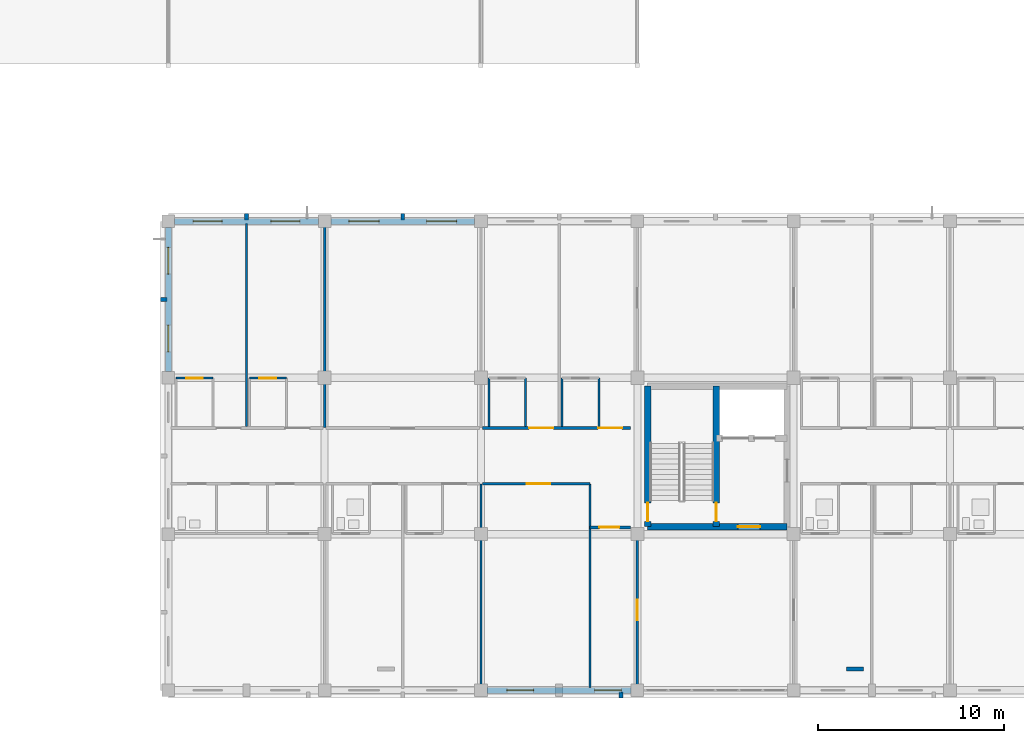
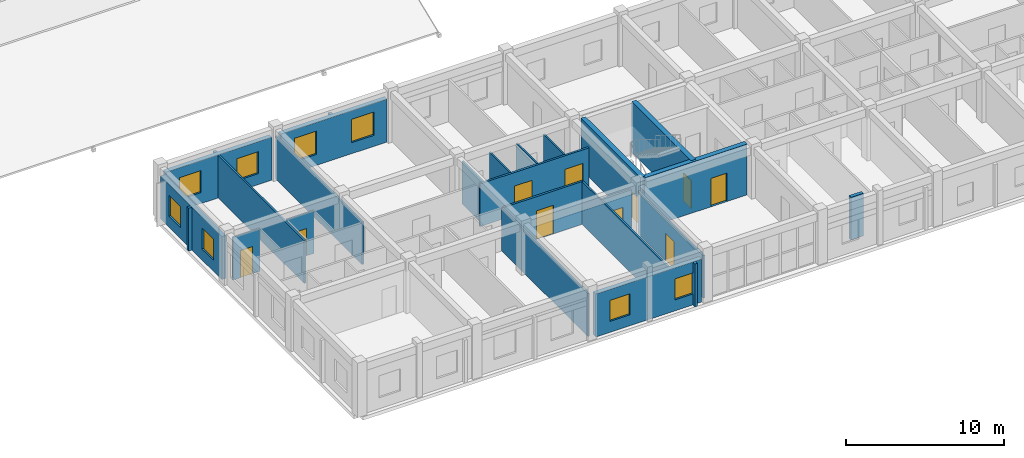
# One storey, part 107 of 140: 26 walls, 10 doors, 8 windows, 18 openings.
"""IFC4 building model written with IfcOpenShell, lengths in metres."""

from ifc_helpers import new_model, si_unit, direction, frame, frame_2d, origin, place, context, subcontext, project, spatial, rectangle, extrude, material, layer, layer_set, type_object, element, fill, save


model = new_model("IFC4")

# Units and contexts
model_context = context("Model", 3, precision=1e-05, world=origin(), true_north=direction((0.0, 1.0)))
body_context = subcontext(model_context, "Body", "Model", "MODEL_VIEW")
ifc_project = project(units=[si_unit("LENGTHUNIT", "METRE"), si_unit("AREAUNIT", "SQUARE_METRE"), si_unit("VOLUMEUNIT", "CUBIC_METRE"), si_unit("PLANEANGLEUNIT", "RADIAN"), si_unit("MASSUNIT", "GRAM", prefix="KILO")], contexts=[model_context])

# Site, building, storey
site_placement = place(None, origin())
site = spatial("IfcSite", under=ifc_project, at=site_placement, CompositionType="ELEMENT")
building_placement = place(site_placement, origin())
building = spatial("IfcBuilding", under=site, at=building_placement, Name="Trelvath General Hospital", CompositionType="ELEMENT")
storey_placement = place(building_placement, frame((0.0, 0.0, 16.199951171875)))
storey = spatial("IfcBuildingStorey", under=building, at=storey_placement, Name="L04", CompositionType="ELEMENT", Elevation=16.199951171875)

# Walls
ifc_material_1 = material(Name="Precast concrete C40/50", Category="concrete")
ifc_layer_1 = layer(ifc_material_1, 0.199951171875)
ifc_layer_set_1 = layer_set([ifc_layer_1], Name="Precast concrete C40/50")
wall_type_1 = type_object("IfcWallType", Name="BriseSoleilRib 200", PredefinedType="ELEMENTEDWALL", material=ifc_layer_set_1)
for number, where, z_axis, x_axis, name in (
    (1, (21.0, 25.27490234375, 0.0), (0.0, 0.0, 1.0), (0.0, 1.0, 0.0), "Precast Concrete Brise-Soleil Rib Fin L04-305"),
    (2, (16.72509765625, 21.0, 0.0), (0.0, 0.0, 1.0), (-1.0, 0.0, 0.0), "Precast Concrete Brise-Soleil Rib Fin L04-306"),
    (3, (29.39990234375, 25.27490234375, 0.0), (0.0, 0.0, 1.0), (0.0, 1.0, 0.0), "Precast Concrete Brise-Soleil Rib Fin L04-313"),
    (4, (41.123779296875, -0.074951171875, 0.0), (0.0, 0.0, 1.0), (0.0, -1.0, 0.0), "Precast Concrete Brise-Soleil Rib Fin L04-316"),
):
    element("IfcWall", number, at=place(storey_placement, frame(where, z_axis=z_axis, x_axis=x_axis)), inside=storey, type_object=wall_type_1, Name=name, PredefinedType="ELEMENTEDWALL", context=body_context, shape_type="SweptSolid", body=[
        extrude(rectangle(XDim=0.340087890625, YDim=0.199951171875, at=frame_2d((0.169921875, 0.0))), origin(), (0.0, 0.0, 1.0), 3.300048828125),
    ])

# Wall, opening, door
ifc_material_2 = material(Name="Gypsum acoustic steel-stud partition", Category="steel")
ifc_layer_2 = layer(ifc_material_2, 0.14990234375)
ifc_layer_set_2 = layer_set([ifc_layer_2], Name="Gypsum acoustic steel-stud partition")
wall_type_2 = type_object("IfcWallType", Name="ClinicalPartition 150", PredefinedType="PARTITIONING", material=ifc_layer_set_2)
wall_1_placement = place(storey_placement, frame((33.679931640625, 11.10009765625, 0.0), z_axis=(0.0, 0.0, 1.0), x_axis=(1.0, 0.0, 0.0)))
wall_1 = element("IfcWall", 5, at=wall_1_placement, inside=storey, type_object=wall_type_2, Name="Nurse Station Partition L04-1432", PredefinedType="PARTITIONING", context=body_context, shape_type="SweptSolid", body=[
    extrude(rectangle(XDim=5.780029296875, YDim=0.14990234375, at=frame_2d((2.89013671875, 0.0))), origin(), (0.0, 0.0, 1.0), 3.300048828125),
])
opening_1_placement = place(wall_1_placement, frame((2.3798828125, 0.0, 0.0)))
opening_1 = element("IfcOpeningElement", 6, at=opening_1_placement, cuts=wall_1, Name="Opening D-4-1004", PredefinedType="OPENING", context=body_context, shape_type="SweptSolid", body=[
    extrude(rectangle(XDim=1.25, YDim=2.199951171875, at=frame_2d((0.625, 1.10009765625))), frame((0.0, 0.0849609375, 0.0), z_axis=(0.0, -1.0, 0.0), x_axis=(1.0, 0.0, 0.0)), (0.0, 0.0, 1.0), 0.169921875),
])
ifc_material_3 = material(Name="Acoustic hospital timber leaf", Category="wood")
door_type_1 = type_object("IfcDoorType", Name="Door Treatment 1250x2200", OperationType="NOTDEFINED", PredefinedType="DOOR", material=ifc_material_3)
door_1_placement = place(opening_1_placement, origin())
door_1 = element("IfcDoor", 7, at=door_1_placement, inside=storey, type_object=door_type_1, Name="Nurse Station Door L04-1004", OperationType="SINGLE_SWING_LEFT", OverallHeight=2.199951171875, OverallWidth=1.25, PredefinedType="DOOR", context=body_context, shape_type="SweptSolid", body=[
    extrude(rectangle(XDim=1.25, YDim=2.199951171875, at=frame_2d((0.625, 1.10009765625))), frame((0.0, 0.02490234375, 0.0), z_axis=(0.0, -1.0, 0.0), x_axis=(1.0, 0.0, 0.0)), (0.0, 0.0, 1.0), 0.050048828125),
])
fill(opening_1, door_1)

wall_2_placement = place(storey_placement, frame((39.4599609375, 8.760009765625, 0.0), z_axis=(0.0, 0.0, 1.0), x_axis=(1.0, 0.0, 0.0)))
wall_2 = element("IfcWall", 8, at=wall_2_placement, inside=storey, type_object=wall_type_2, Name="Clean Utility Partition L04-1434", PredefinedType="PARTITIONING", context=body_context, shape_type="SweptSolid", body=[
    extrude(rectangle(XDim=2.179931640625, YDim=0.14990234375, at=frame_2d((1.08984375, 0.0))), origin(), (0.0, 0.0, 1.0), 3.300048828125),
])
opening_2_placement = place(wall_2_placement, frame((0.5, 0.0, 0.0)))
opening_2 = element("IfcOpeningElement", 9, at=opening_2_placement, cuts=wall_2, Name="Opening D-4-1005", PredefinedType="OPENING", context=body_context, shape_type="SweptSolid", body=[
    extrude(rectangle(XDim=1.080078125, YDim=2.14990234375, at=frame_2d((0.5400390625, 1.074951171875))), frame((0.0, 0.0849609375, 0.0), z_axis=(0.0, -1.0, 0.0), x_axis=(1.0, 0.0, 0.0)), (0.0, 0.0, 1.0), 0.169921875),
])
ifc_material_4 = material(Name="Acoustic hospital timber leaf", Category="wood")
door_type_2 = type_object("IfcDoorType", Name="Door CleanSupply 1080x2150", OperationType="NOTDEFINED", PredefinedType="DOOR", material=ifc_material_4)
door_2_placement = place(opening_2_placement, origin())
door_2 = element("IfcDoor", 10, at=door_2_placement, inside=storey, type_object=door_type_2, Name="Clean Utility Door L04-1005", OperationType="SINGLE_SWING_RIGHT", OverallHeight=2.14990234375, OverallWidth=1.080078125, PredefinedType="DOOR", context=body_context, shape_type="SweptSolid", body=[
    extrude(rectangle(XDim=1.080078125, YDim=2.14990234375, at=frame_2d((0.5400390625, 1.074951171875))), frame((0.0, 0.02490234375, 0.0), z_axis=(0.0, -1.0, 0.0), x_axis=(1.0, 0.0, 0.0)), (0.0, 0.0, 1.0), 0.050048828125),
])
fill(opening_2, door_2)

# Wall, openings, doors
wall_3_placement = place(storey_placement, frame((41.639892578125, 14.10009765625, 0.0), z_axis=(0.0, 0.0, 1.0), x_axis=(-1.0, 0.0, 0.0)))
wall_3 = element("IfcWall", 11, at=wall_3_placement, inside=storey, type_object=wall_type_2, Name="Corridor Partition N L04-1435", PredefinedType="PARTITIONING", context=body_context, shape_type="SweptSolid", body=[
    extrude(rectangle(XDim=7.9599609375, YDim=0.14990234375, at=frame_2d((3.97998046875, 0.0))), origin(), (0.0, 0.0, 1.0), 3.300048828125),
])
opening_3_placement = place(wall_3_placement, frame((0.449951171875, 0.0, 0.0)))
opening_3 = element("IfcOpeningElement", 12, at=opening_3_placement, cuts=wall_3, Name="Opening D-4-1006", PredefinedType="OPENING", context=body_context, shape_type="SweptSolid", body=[
    extrude(rectangle(XDim=1.300048828125, YDim=2.25, at=frame_2d((0.64990234375, 1.125))), frame((0.0, 0.0849609375, 0.0), z_axis=(0.0, -1.0, 0.0), x_axis=(1.0, 0.0, 0.0)), (0.0, 0.0, 1.0), 0.169921875),
])
opening_4_placement = place(wall_3_placement, frame((4.14990234375, 0.0, 0.0)))
opening_4 = element("IfcOpeningElement", 13, at=opening_4_placement, cuts=wall_3, Name="Opening D-4-1007", PredefinedType="OPENING", context=body_context, shape_type="SweptSolid", body=[
    extrude(rectangle(XDim=1.300048828125, YDim=2.25, at=frame_2d((0.64990234375, 1.125))), frame((0.0, 0.0849609375, 0.0), z_axis=(0.0, -1.0, 0.0), x_axis=(1.0, 0.0, 0.0)), (0.0, 0.0, 1.0), 0.169921875),
])
ifc_material_5 = material(Name="Hospital bed-leaf timber door", Category="wood")
door_type_3 = type_object("IfcDoorType", Name="Door PatientBed 1300x2250", OperationType="NOTDEFINED", PredefinedType="DOOR", material=ifc_material_5)
door_3_placement = place(opening_3_placement, origin())
door_3 = element("IfcDoor", 14, at=door_3_placement, inside=storey, type_object=door_type_3, Name="Patient Room Door N L04-1006", OperationType="SINGLE_SWING_LEFT", OverallHeight=2.25, OverallWidth=1.300048828125, PredefinedType="DOOR", context=body_context, shape_type="SweptSolid", body=[
    extrude(rectangle(XDim=1.300048828125, YDim=2.25, at=frame_2d((0.64990234375, 1.125))), frame((0.0, 0.02490234375, 0.0), z_axis=(0.0, -1.0, 0.0), x_axis=(1.0, 0.0, 0.0)), (0.0, 0.0, 1.0), 0.050048828125),
])
fill(opening_3, door_3)
door_4_placement = place(opening_4_placement, origin())
door_4 = element("IfcDoor", 15, at=door_4_placement, inside=storey, type_object=door_type_3, Name="Patient Room Door N L04-1007", OperationType="SINGLE_SWING_LEFT", OverallHeight=2.25, OverallWidth=1.300048828125, PredefinedType="DOOR", context=body_context, shape_type="SweptSolid", body=[
    extrude(rectangle(XDim=1.300048828125, YDim=2.25, at=frame_2d((0.64990234375, 1.125))), frame((0.0, 0.02490234375, 0.0), z_axis=(0.0, -1.0, 0.0), x_axis=(1.0, 0.0, 0.0)), (0.0, 0.0, 1.0), 0.050048828125),
])
fill(opening_4, door_4)

# Wall, opening, door
ifc_material_6 = material(Name="Concrete C40/50", Category="concrete")
ifc_layer_3 = layer(ifc_material_6, 0.35009765625)
ifc_layer_set_3 = layer_set([ifc_layer_3], Name="Concrete C40/50")
wall_type_3 = type_object("IfcWallType", Name="CoreShearWall 350", PredefinedType="SHEAR", material=ifc_layer_set_3)
wall_4_placement = place(storey_placement, frame((42.550048828125, 8.800048828125, 0.0), z_axis=(0.0, 0.0, 1.0), x_axis=(1.0, 0.0, 0.0)))
wall_4 = element("IfcWall", 16, at=wall_4_placement, inside=storey, type_object=wall_type_3, Name="Core Shear Wall C4 S L04", PredefinedType="SHEAR", context=body_context, shape_type="SweptSolid", body=[
    extrude(rectangle(XDim=7.5, YDim=0.35009765625, at=frame_2d((3.75, 0.0))), origin(), (0.0, 0.0, 1.0), 3.920166015625),
])
opening_5_placement = place(wall_4_placement, frame((4.85009765625, 0.0, 0.0)))
opening_5 = element("IfcOpeningElement", 17, at=opening_5_placement, cuts=wall_4, Name="Opening FD-LS44", PredefinedType="OPENING", context=body_context, shape_type="SweptSolid", body=[
    extrude(rectangle(XDim=1.199951171875, YDim=2.199951171875, at=frame_2d((0.60009765625, 1.10009765625))), frame((0.0, 0.18505859375, 0.0), z_axis=(0.0, -1.0, 0.0), x_axis=(1.0, 0.0, 0.0)), (0.0, 0.0, 1.0), 0.3701171875),
])
ifc_material_7 = material(Name="Fire-rated steel door", Category="steel")
door_type_4 = type_object("IfcDoorType", Name="Door FireLobby 1200x2200", OperationType="NOTDEFINED", PredefinedType="DOOR", material=ifc_material_7)
door_5_placement = place(opening_5_placement, origin())
door_5 = element("IfcDoor", 18, at=door_5_placement, inside=storey, type_object=door_type_4, Name="Fire Lobby South Door C4 L04", OperationType="SINGLE_SWING_LEFT", OverallHeight=2.199951171875, OverallWidth=1.199951171875, PredefinedType="DOOR", context=body_context, shape_type="SweptSolid", body=[
    extrude(rectangle(XDim=1.199951171875, YDim=2.199951171875, at=frame_2d((0.60009765625, 1.10009765625))), frame((0.0, 0.02490234375, 0.0), z_axis=(0.0, -1.0, 0.0), x_axis=(1.0, 0.0, 0.0)), (0.0, 0.0, 1.0), 0.050048828125),
])
fill(opening_5, door_5)

wall_5_placement = place(storey_placement, frame((42.550048828125, 8.800048828125, 0.0), z_axis=(0.0, 0.0, 1.0), x_axis=(0.0, 1.0, 0.0)))
wall_5 = element("IfcWall", 19, at=wall_5_placement, inside=storey, type_object=wall_type_3, Name="Core Shear Wall C4 W L04", PredefinedType="SHEAR", context=body_context, shape_type="SweptSolid", body=[
    extrude(rectangle(XDim=7.550048828125, YDim=0.35009765625, at=frame_2d((3.77490234375, 0.0))), origin(), (0.0, 0.0, 1.0), 3.920166015625),
])
opening_6_placement = place(wall_5_placement, frame((0.280029296875, 0.0, 0.0)))
opening_6 = element("IfcOpeningElement", 20, at=opening_6_placement, cuts=wall_5, Name="Opening FD-SW44", PredefinedType="OPENING", context=body_context, shape_type="SweptSolid", body=[
    extrude(rectangle(XDim=1.0, YDim=2.14990234375, at=frame_2d((0.5, 1.074951171875))), frame((0.0, 0.18505859375, 0.0), z_axis=(0.0, -1.0, 0.0), x_axis=(1.0, 0.0, 0.0)), (0.0, 0.0, 1.0), 0.3701171875),
])
ifc_material_8 = material(Name="Fire-rated steel door", Category="steel")
door_type_5 = type_object("IfcDoorType", Name="Door FireStair 1100x2150", OperationType="NOTDEFINED", PredefinedType="DOOR", material=ifc_material_8)
door_6_placement = place(opening_6_placement, origin())
door_6 = element("IfcDoor", 21, at=door_6_placement, inside=storey, type_object=door_type_5, Name="West Corridor Stair Door ST4 L04", OperationType="SINGLE_SWING_RIGHT", OverallHeight=2.14990234375, OverallWidth=1.0, PredefinedType="DOOR", context=body_context, shape_type="SweptSolid", body=[
    extrude(rectangle(XDim=1.0, YDim=2.14990234375, at=frame_2d((0.5, 1.074951171875))), frame((0.0, 0.02490234375, 0.0), z_axis=(0.0, -1.0, 0.0), x_axis=(1.0, 0.0, 0.0)), (0.0, 0.0, 1.0), 0.050048828125),
])
fill(opening_6, door_6)

wall_6_placement = place(storey_placement, frame((46.25, 8.800048828125, 0.0), z_axis=(0.0, 0.0, 1.0), x_axis=(0.0, 1.0, 0.0)))
wall_6 = element("IfcWall", 22, at=wall_6_placement, inside=storey, type_object=wall_type_3, Name="Core Shear Wall C4 SPINE L04", PredefinedType="SHEAR", context=body_context, shape_type="SweptSolid", body=[
    extrude(rectangle(XDim=7.550048828125, YDim=0.35009765625, at=frame_2d((3.77490234375, 0.0))), origin(), (0.0, 0.0, 1.0), 3.920166015625),
])
opening_7_placement = place(wall_6_placement, frame((0.280029296875, 0.0, 0.0)))
opening_7 = element("IfcOpeningElement", 23, at=opening_7_placement, cuts=wall_6, Name="Opening FD-S44", PredefinedType="OPENING", context=body_context, shape_type="SweptSolid", body=[
    extrude(rectangle(XDim=1.0, YDim=2.14990234375, at=frame_2d((0.5, 1.074951171875))), frame((0.0, 0.18505859375, 0.0), z_axis=(0.0, -1.0, 0.0), x_axis=(1.0, 0.0, 0.0)), (0.0, 0.0, 1.0), 0.3701171875),
])
door_7_placement = place(opening_7_placement, origin())
door_7 = element("IfcDoor", 24, at=door_7_placement, inside=storey, type_object=door_type_5, Name="Exit Stair Door ST4 L04", OperationType="SINGLE_SWING_LEFT", OverallHeight=2.14990234375, OverallWidth=1.0, PredefinedType="DOOR", context=body_context, shape_type="SweptSolid", body=[
    extrude(rectangle(XDim=1.0, YDim=2.14990234375, at=frame_2d((0.5, 1.074951171875))), frame((0.0, 0.02490234375, 0.0), z_axis=(0.0, -1.0, 0.0), x_axis=(1.0, 0.0, 0.0)), (0.0, 0.0, 1.0), 0.050048828125),
])
fill(opening_7, door_7)

ifc_material_9 = material(Name="Moisture-resistant tile partition")
ifc_layer_4 = layer(ifc_material_9, 0.110107421875)
ifc_layer_set_4 = layer_set([ifc_layer_4], Name="Moisture-resistant tile partition")
wall_type_4 = type_object("IfcWallType", Name="EnSuiteWetWall 110", PredefinedType="PARTITIONING", material=ifc_layer_set_4)
wall_7_placement = place(storey_placement, frame((17.219970703125, 16.780029296875, 0.0), z_axis=(0.0, 0.0, 1.0), x_axis=(1.0, 0.0, 0.0)))
wall_7 = element("IfcWall", 25, at=wall_7_placement, inside=storey, type_object=wall_type_4, Name="En-Suite Bathroom N Partition L04-1414", PredefinedType="PARTITIONING", context=body_context, shape_type="SweptSolid", body=[
    extrude(rectangle(XDim=1.97998046875, YDim=0.110107421875, at=frame_2d((0.989990234375, 0.0))), origin(), (0.0, 0.0, 1.0), 3.300048828125),
])
opening_8_placement = place(wall_7_placement, frame((0.5400390625, 0.0, 0.0)))
opening_8 = element("IfcOpeningElement", 26, at=opening_8_placement, cuts=wall_7, Name="Opening D-4-0997", PredefinedType="OPENING", context=body_context, shape_type="SweptSolid", body=[
    extrude(rectangle(XDim=0.89990234375, YDim=2.10009765625, at=frame_2d((0.449951171875, 1.050048828125))), frame((0.0, 0.06494140625, 0.0), z_axis=(0.0, -1.0, 0.0), x_axis=(1.0, 0.0, 0.0)), (0.0, 0.0, 1.0), 0.130126953125),
])
ifc_material_10 = material(Name="Moisture-sealed timber leaf", Category="wood")
door_type_6 = type_object("IfcDoorType", Name="Door EnSuite 900x2100", OperationType="NOTDEFINED", PredefinedType="DOOR", material=ifc_material_10)
door_8_placement = place(opening_8_placement, origin())
door_8 = element("IfcDoor", 27, at=door_8_placement, inside=storey, type_object=door_type_6, Name="En-Suite Bathroom N Door L04-997", OperationType="SINGLE_SWING_RIGHT", OverallHeight=2.10009765625, OverallWidth=0.89990234375, PredefinedType="DOOR", context=body_context, shape_type="SweptSolid", body=[
    extrude(rectangle(XDim=0.89990234375, YDim=2.10009765625, at=frame_2d((0.449951171875, 1.050048828125))), frame((0.0, 0.02490234375, 0.0), z_axis=(0.0, -1.0, 0.0), x_axis=(1.0, 0.0, 0.0)), (0.0, 0.0, 1.0), 0.050048828125),
])
fill(opening_8, door_8)

wall_8_placement = place(storey_placement, frame((21.159912109375, 16.780029296875, 0.0), z_axis=(0.0, 0.0, 1.0), x_axis=(1.0, 0.0, 0.0)))
wall_8 = element("IfcWall", 28, at=wall_8_placement, inside=storey, type_object=wall_type_4, Name="En-Suite Bathroom N Partition L04-1417", PredefinedType="PARTITIONING", context=body_context, shape_type="SweptSolid", body=[
    extrude(rectangle(XDim=1.97998046875, YDim=0.110107421875, at=frame_2d((0.989990234375, 0.0))), origin(), (0.0, 0.0, 1.0), 3.300048828125),
])
opening_9_placement = place(wall_8_placement, frame((0.5400390625, 0.0, 0.0)))
opening_9 = element("IfcOpeningElement", 29, at=opening_9_placement, cuts=wall_8, Name="Opening D-4-0998", PredefinedType="OPENING", context=body_context, shape_type="SweptSolid", body=[
    extrude(rectangle(XDim=0.89990234375, YDim=2.10009765625, at=frame_2d((0.449951171875, 1.050048828125))), frame((0.0, 0.06494140625, 0.0), z_axis=(0.0, -1.0, 0.0), x_axis=(1.0, 0.0, 0.0)), (0.0, 0.0, 1.0), 0.130126953125),
])
door_9_placement = place(opening_9_placement, origin())
door_9 = element("IfcDoor", 30, at=door_9_placement, inside=storey, type_object=door_type_6, Name="En-Suite Bathroom N Door L04-998", OperationType="SINGLE_SWING_LEFT", OverallHeight=2.10009765625, OverallWidth=0.89990234375, PredefinedType="DOOR", context=body_context, shape_type="SweptSolid", body=[
    extrude(rectangle(XDim=0.89990234375, YDim=2.10009765625, at=frame_2d((0.449951171875, 1.050048828125))), frame((0.0, 0.02490234375, 0.0), z_axis=(0.0, -1.0, 0.0), x_axis=(1.0, 0.0, 0.0)), (0.0, 0.0, 1.0), 0.050048828125),
])
fill(opening_9, door_9)

# Walls
for number, where, z_axis, x_axis, name in (
    (31, (34.02001953125, 14.169921875, 0.0), (0.0, 0.0, 1.0), (0.0, 1.0, 0.0), "En-Suite W Wall N L04-1437"),
    (32, (36.0, 14.169921875, 0.0), (0.0, 0.0, 1.0), (0.0, 1.0, 0.0), "En-Suite E Wall N L04-1438"),
    (33, (37.9599609375, 14.169921875, 0.0), (0.0, 0.0, 1.0), (0.0, 1.0, 0.0), "En-Suite W Wall N L04-1440"),
    (34, (39.93994140625, 14.169921875, 0.0), (0.0, 0.0, 1.0), (0.0, 1.0, 0.0), "En-Suite E Wall N L04-1441"),
):
    element("IfcWall", number, at=place(storey_placement, frame(where, z_axis=z_axis, x_axis=x_axis)), inside=storey, type_object=wall_type_4, Name=name, PredefinedType="PARTITIONING", context=body_context, shape_type="SweptSolid", body=[
        extrude(rectangle(XDim=2.610107421875, YDim=0.110107421875, at=frame_2d((1.30517578125, 0.0))), origin(), (0.0, 0.0, 1.0), 3.300048828125),
    ])

# Wall, openings, windows
ifc_material_11 = material(Name="Concrete C35/45", Category="concrete")
ifc_layer_5 = layer(ifc_material_11, 0.320068359375)
ifc_layer_set_5 = layer_set([ifc_layer_5], Name="Concrete C35/45")
wall_type_5 = type_object("IfcWallType", Name="ExtThermalWall 320", PredefinedType="SOLIDWALL", material=ifc_layer_set_5)
wall_9_placement = place(storey_placement, frame((17.135009765625, 25.199951171875, 0.0), z_axis=(0.0, 0.0, 1.0), x_axis=(1.0, 0.0, 0.0)))
wall_9 = element("IfcWall", 35, at=wall_9_placement, inside=storey, type_object=wall_type_5, Name="Exterior Concrete Wall L04-423", PredefinedType="SOLIDWALL", context=body_context, shape_type="SweptSolid", body=[
    extrude(rectangle(XDim=7.72998046875, YDim=0.320068359375, at=frame_2d((3.864990234375, 0.0))), origin(), (0.0, 0.0, 1.0), 3.320068359375),
])
opening_10_placement = place(wall_9_placement, frame((0.997802734375, 0.0, 0.85009765625)))
opening_10 = element("IfcOpeningElement", 36, at=opening_10_placement, cuts=wall_9, Name="Opening WN-4-695", PredefinedType="OPENING", context=body_context, shape_type="SweptSolid", body=[
    extrude(rectangle(XDim=1.56005859375, YDim=1.699951171875, at=frame_2d((0.780029296875, 0.85009765625))), frame((0.0, 0.169921875, 0.0), z_axis=(0.0, -1.0, 0.0), x_axis=(1.0, 0.0, 0.0)), (0.0, 0.0, 1.0), 0.340087890625),
])
opening_11_placement = place(wall_9_placement, frame((5.172119140625, 0.0, 0.85009765625)))
opening_11 = element("IfcOpeningElement", 37, at=opening_11_placement, cuts=wall_9, Name="Opening WN-4-696", PredefinedType="OPENING", context=body_context, shape_type="SweptSolid", body=[
    extrude(rectangle(XDim=1.56005859375, YDim=1.699951171875, at=frame_2d((0.780029296875, 0.85009765625))), frame((0.0, 0.169921875, 0.0), z_axis=(0.0, -1.0, 0.0), x_axis=(1.0, 0.0, 0.0)), (0.0, 0.0, 1.0), 0.340087890625),
])
ifc_material_12 = material(Name="Low-E laminated glass", Category="glass")
window_type_1 = type_object("IfcWindowType", Name="Window Dialysis 1560x1700", PartitioningType="DOUBLE_PANEL_VERTICAL", PredefinedType="WINDOW", material=ifc_material_12)
window_1_placement = place(opening_10_placement, origin())
window_1 = element("IfcWindow", 38, at=window_1_placement, inside=storey, type_object=window_type_1, Name="Solar Reveal Window L04-695", OverallHeight=1.699951171875, OverallWidth=1.56005859375, PartitioningType="SINGLE_PANEL", PredefinedType="WINDOW", context=body_context, shape_type="SweptSolid", body=[
    extrude(rectangle(XDim=1.56005859375, YDim=1.699951171875, at=frame_2d((0.780029296875, 0.85009765625))), frame((0.0, 0.030029296875, 0.0), z_axis=(0.0, -1.0, 0.0), x_axis=(1.0, 0.0, 0.0)), (0.0, 0.0, 1.0), 0.06005859375),
])
fill(opening_10, window_1)
window_2_placement = place(opening_11_placement, origin())
window_2 = element("IfcWindow", 39, at=window_2_placement, inside=storey, type_object=window_type_1, Name="Solar Reveal Window L04-696", OverallHeight=1.699951171875, OverallWidth=1.56005859375, PartitioningType="SINGLE_PANEL", PredefinedType="WINDOW", context=body_context, shape_type="SweptSolid", body=[
    extrude(rectangle(XDim=1.56005859375, YDim=1.699951171875, at=frame_2d((0.780029296875, 0.85009765625))), frame((0.0, 0.030029296875, 0.0), z_axis=(0.0, -1.0, 0.0), x_axis=(1.0, 0.0, 0.0)), (0.0, 0.0, 1.0), 0.06005859375),
])
fill(opening_11, window_2)

wall_10_placement = place(storey_placement, frame((16.800048828125, 17.135009765625, 0.0), z_axis=(0.0, 0.0, 1.0), x_axis=(0.0, 1.0, 0.0)))
wall_10 = element("IfcWall", 40, at=wall_10_placement, inside=storey, type_object=wall_type_5, Name="Exterior Concrete Wall L04-424", PredefinedType="SOLIDWALL", context=body_context, shape_type="SweptSolid", body=[
    extrude(rectangle(XDim=7.72998046875, YDim=0.320068359375, at=frame_2d((3.864990234375, 0.0))), origin(), (0.0, 0.0, 1.0), 3.320068359375),
])
opening_12_placement = place(wall_10_placement, frame((1.057861328125, 0.0, 0.85009765625)))
opening_12 = element("IfcOpeningElement", 41, at=opening_12_placement, cuts=wall_10, Name="Opening WN-4-697", PredefinedType="OPENING", context=body_context, shape_type="SweptSolid", body=[
    extrude(rectangle(XDim=1.43994140625, YDim=1.6201171875, at=frame_2d((0.719970703125, 0.81005859375))), frame((0.0, 0.169921875, 0.0), z_axis=(0.0, -1.0, 0.0), x_axis=(1.0, 0.0, 0.0)), (0.0, 0.0, 1.0), 0.340087890625),
])
opening_13_placement = place(wall_10_placement, frame((5.232177734375, 0.0, 0.85009765625)))
opening_13 = element("IfcOpeningElement", 42, at=opening_13_placement, cuts=wall_10, Name="Opening WN-4-698", PredefinedType="OPENING", context=body_context, shape_type="SweptSolid", body=[
    extrude(rectangle(XDim=1.43994140625, YDim=1.6201171875, at=frame_2d((0.719970703125, 0.81005859375))), frame((0.0, 0.169921875, 0.0), z_axis=(0.0, -1.0, 0.0), x_axis=(1.0, 0.0, 0.0)), (0.0, 0.0, 1.0), 0.340087890625),
])
ifc_material_13 = material(Name="Low-E laminated glass", Category="glass")
window_type_2 = type_object("IfcWindowType", Name="Window Maternity 1440x1620", PartitioningType="DOUBLE_PANEL_VERTICAL", PredefinedType="WINDOW", material=ifc_material_13)
window_3_placement = place(opening_12_placement, origin())
window_3 = element("IfcWindow", 43, at=window_3_placement, inside=storey, type_object=window_type_2, Name="Solar Reveal Window L04-697", OverallHeight=1.6201171875, OverallWidth=1.43994140625, PartitioningType="SINGLE_PANEL", PredefinedType="WINDOW", context=body_context, shape_type="SweptSolid", body=[
    extrude(rectangle(XDim=1.43994140625, YDim=1.6201171875, at=frame_2d((0.719970703125, 0.81005859375))), frame((0.0, 0.030029296875, 0.0), z_axis=(0.0, -1.0, 0.0), x_axis=(1.0, 0.0, 0.0)), (0.0, 0.0, 1.0), 0.06005859375),
])
fill(opening_12, window_3)
window_4_placement = place(opening_13_placement, origin())
window_4 = element("IfcWindow", 44, at=window_4_placement, inside=storey, type_object=window_type_2, Name="Solar Reveal Window L04-698", OverallHeight=1.6201171875, OverallWidth=1.43994140625, PartitioningType="SINGLE_PANEL", PredefinedType="WINDOW", context=body_context, shape_type="SweptSolid", body=[
    extrude(rectangle(XDim=1.43994140625, YDim=1.6201171875, at=frame_2d((0.719970703125, 0.81005859375))), frame((0.0, 0.030029296875, 0.0), z_axis=(0.0, -1.0, 0.0), x_axis=(1.0, 0.0, 0.0)), (0.0, 0.0, 1.0), 0.06005859375),
])
fill(opening_13, window_4)

wall_11_placement = place(storey_placement, frame((25.534912109375, 25.199951171875, 0.0), z_axis=(0.0, 0.0, 1.0), x_axis=(1.0, 0.0, 0.0)))
wall_11 = element("IfcWall", 45, at=wall_11_placement, inside=storey, type_object=wall_type_5, Name="Exterior Concrete Wall L04-431", PredefinedType="SOLIDWALL", context=body_context, shape_type="SweptSolid", body=[
    extrude(rectangle(XDim=7.72998046875, YDim=0.320068359375, at=frame_2d((3.864990234375, 0.0))), origin(), (0.0, 0.0, 1.0), 3.320068359375),
])
opening_14_placement = place(wall_11_placement, frame((0.968017578125, 0.0, 0.85009765625)))
opening_14 = element("IfcOpeningElement", 46, at=opening_14_placement, cuts=wall_11, Name="Opening WN-4-711", PredefinedType="OPENING", context=body_context, shape_type="SweptSolid", body=[
    extrude(rectangle(XDim=1.6201171875, YDim=1.800048828125, at=frame_2d((0.81005859375, 0.89990234375))), frame((0.0, 0.169921875, 0.0), z_axis=(0.0, -1.0, 0.0), x_axis=(1.0, 0.0, 0.0)), (0.0, 0.0, 1.0), 0.340087890625),
])
opening_15_placement = place(wall_11_placement, frame((5.14208984375, 0.0, 0.85009765625)))
opening_15 = element("IfcOpeningElement", 47, at=opening_15_placement, cuts=wall_11, Name="Opening WN-4-712", PredefinedType="OPENING", context=body_context, shape_type="SweptSolid", body=[
    extrude(rectangle(XDim=1.6201171875, YDim=1.800048828125, at=frame_2d((0.81005859375, 0.89990234375))), frame((0.0, 0.169921875, 0.0), z_axis=(0.0, -1.0, 0.0), x_axis=(1.0, 0.0, 0.0)), (0.0, 0.0, 1.0), 0.340087890625),
])
ifc_material_14 = material(Name="Low-E laminated glass", Category="glass")
window_type_3 = type_object("IfcWindowType", Name="Window Rehab 1620x1800", PartitioningType="DOUBLE_PANEL_VERTICAL", PredefinedType="WINDOW", material=ifc_material_14)
window_5_placement = place(opening_14_placement, origin())
window_5 = element("IfcWindow", 48, at=window_5_placement, inside=storey, type_object=window_type_3, Name="Solar Reveal Window L04-711", OverallHeight=1.800048828125, OverallWidth=1.6201171875, PartitioningType="SINGLE_PANEL", PredefinedType="WINDOW", context=body_context, shape_type="SweptSolid", body=[
    extrude(rectangle(XDim=1.6201171875, YDim=1.800048828125, at=frame_2d((0.81005859375, 0.89990234375))), frame((0.0, 0.030029296875, 0.0), z_axis=(0.0, -1.0, 0.0), x_axis=(1.0, 0.0, 0.0)), (0.0, 0.0, 1.0), 0.06005859375),
])
fill(opening_14, window_5)
window_6_placement = place(opening_15_placement, origin())
window_6 = element("IfcWindow", 49, at=window_6_placement, inside=storey, type_object=window_type_3, Name="Solar Reveal Window L04-712", OverallHeight=1.800048828125, OverallWidth=1.6201171875, PartitioningType="SINGLE_PANEL", PredefinedType="WINDOW", context=body_context, shape_type="SweptSolid", body=[
    extrude(rectangle(XDim=1.6201171875, YDim=1.800048828125, at=frame_2d((0.81005859375, 0.89990234375))), frame((0.0, 0.030029296875, 0.0), z_axis=(0.0, -1.0, 0.0), x_axis=(1.0, 0.0, 0.0)), (0.0, 0.0, 1.0), 0.06005859375),
])
fill(opening_15, window_6)

wall_12_placement = place(storey_placement, frame((41.6650390625, 0.0, 0.0), z_axis=(0.0, 0.0, 1.0), x_axis=(-1.0, 0.0, 0.0)))
wall_12 = element("IfcWall", 50, at=wall_12_placement, inside=storey, type_object=wall_type_5, Name="Exterior Concrete Wall L04-434", PredefinedType="SOLIDWALL", context=body_context, shape_type="SweptSolid", body=[
    extrude(rectangle(XDim=7.72998046875, YDim=0.320068359375, at=frame_2d((3.864990234375, 0.0))), origin(), (0.0, 0.0, 1.0), 3.320068359375),
])
opening_16_placement = place(wall_12_placement, frame((0.52001953125, 0.0, 0.85009765625)))
opening_16 = element("IfcOpeningElement", 51, at=opening_16_placement, cuts=wall_12, Name="Opening WN-4-717", PredefinedType="OPENING", context=body_context, shape_type="SweptSolid", body=[
    extrude(rectangle(XDim=1.43994140625, YDim=1.6201171875, at=frame_2d((0.719970703125, 0.81005859375))), frame((0.0, 0.169921875, 0.0), z_axis=(0.0, -1.0, 0.0), x_axis=(1.0, 0.0, 0.0)), (0.0, 0.0, 1.0), 0.340087890625),
])
opening_17_placement = place(wall_12_placement, frame((5.232177734375, 0.0, 0.85009765625)))
opening_17 = element("IfcOpeningElement", 52, at=opening_17_placement, cuts=wall_12, Name="Opening WN-4-718", PredefinedType="OPENING", context=body_context, shape_type="SweptSolid", body=[
    extrude(rectangle(XDim=1.43994140625, YDim=1.6201171875, at=frame_2d((0.719970703125, 0.81005859375))), frame((0.0, 0.169921875, 0.0), z_axis=(0.0, -1.0, 0.0), x_axis=(1.0, 0.0, 0.0)), (0.0, 0.0, 1.0), 0.340087890625),
])
window_7_placement = place(opening_16_placement, origin())
window_7 = element("IfcWindow", 53, at=window_7_placement, inside=storey, type_object=window_type_2, Name="Solar Reveal Window L04-717", OverallHeight=1.6201171875, OverallWidth=1.43994140625, PartitioningType="SINGLE_PANEL", PredefinedType="WINDOW", context=body_context, shape_type="SweptSolid", body=[
    extrude(rectangle(XDim=1.43994140625, YDim=1.6201171875, at=frame_2d((0.719970703125, 0.81005859375))), frame((0.0, 0.030029296875, 0.0), z_axis=(0.0, -1.0, 0.0), x_axis=(1.0, 0.0, 0.0)), (0.0, 0.0, 1.0), 0.06005859375),
])
fill(opening_16, window_7)
window_8_placement = place(opening_17_placement, origin())
window_8 = element("IfcWindow", 54, at=window_8_placement, inside=storey, type_object=window_type_2, Name="Solar Reveal Window L04-718", OverallHeight=1.6201171875, OverallWidth=1.43994140625, PartitioningType="SINGLE_PANEL", PredefinedType="WINDOW", context=body_context, shape_type="SweptSolid", body=[
    extrude(rectangle(XDim=1.43994140625, YDim=1.6201171875, at=frame_2d((0.719970703125, 0.81005859375))), frame((0.0, 0.030029296875, 0.0), z_axis=(0.0, -1.0, 0.0), x_axis=(1.0, 0.0, 0.0)), (0.0, 0.0, 1.0), 0.06005859375),
])
fill(opening_17, window_8)

# Walls
ifc_material_15 = material(Name="Masonry service chase blockwork", Category="masonry")
ifc_layer_6 = layer(ifc_material_15, 0.239990234375)
ifc_layer_set_6 = layer_set([ifc_layer_6], Name="Masonry service chase blockwork")
wall_type_6 = type_object("IfcWallType", Name="PlumbingChaseWall 240", PredefinedType="PLUMBINGWALL", material=ifc_layer_set_6)
wall_13_placement = place(storey_placement, frame((53.25, 1.14990234375, 0.0), z_axis=(0.0, 0.0, 1.0), x_axis=(1.0, 0.0, 0.0)))
element("IfcWall", 55, at=wall_13_placement, inside=storey, type_object=wall_type_6, Name="Medical Gas Plumbing Chase L04-1455", PredefinedType="PLUMBINGWALL", context=body_context, shape_type="SweptSolid", body=[
    extrude(rectangle(XDim=0.89990234375, YDim=0.239990234375, at=frame_2d((0.449951171875, 0.0))), origin(), (0.0, 0.0, 1.0), 3.300048828125),
])
ifc_material_16 = material(Name="Gypsum acoustic steel-stud partition", Category="steel")
ifc_layer_7 = layer(ifc_material_16, 0.1298828125)
ifc_layer_set_7 = layer_set([ifc_layer_7], Name="Gypsum acoustic steel-stud partition")
wall_type_7 = type_object("IfcWallType", Name="WardPartition 130", PredefinedType="PARTITIONING", material=ifc_layer_set_7)
wall_14_placement = place(storey_placement, frame((21.0, 14.169921875, 0.0), z_axis=(0.0, 0.0, 1.0), x_axis=(0.0, 1.0, 0.0)))
element("IfcWall", 56, at=wall_14_placement, inside=storey, type_object=wall_type_7, Name="Room Dividing Partition N L04-1411", PredefinedType="PARTITIONING", context=body_context, shape_type="SweptSolid", body=[
    extrude(rectangle(XDim=10.93017578125, YDim=0.1298828125, at=frame_2d((5.465087890625, 0.0))), origin(), (0.0, 0.0, 1.0), 3.300048828125),
])
wall_15_placement = place(storey_placement, frame((25.199951171875, 14.1201171875, 0.0), z_axis=(0.0, 0.0, 1.0), x_axis=(0.0, 1.0, 0.0)))
element("IfcWall", 57, at=wall_15_placement, inside=storey, type_object=wall_type_7, Name="Inter-Bay Ward Partition N L04-1419", PredefinedType="PARTITIONING", context=body_context, shape_type="SweptSolid", body=[
    extrude(rectangle(XDim=10.93994140625, YDim=0.1298828125, at=frame_2d((5.469970703125, 0.0))), origin(), (0.0, 0.0, 1.0), 3.300048828125),
])
for number, where, z_axis, x_axis, name in (
    (58, (33.60009765625, 0.139892578125, 0.0), (0.0, 0.0, 1.0), (0.0, 1.0, 0.0), "Inter-Bay Ward Partition S L04-1430"),
    (59, (39.4599609375, 0.159912109375, 0.0), (0.0, 0.0, 1.0), (0.0, 1.0, 0.0), "Nurse Alcove Partition L04-1433"),
):
    element("IfcWall", number, at=place(storey_placement, frame(where, z_axis=z_axis, x_axis=x_axis)), inside=storey, type_object=wall_type_7, Name=name, PredefinedType="PARTITIONING", context=body_context, shape_type="SweptSolid", body=[
        extrude(rectangle(XDim=10.940185546875, YDim=0.1298828125, at=frame_2d((5.47021484375, 0.0))), origin(), (0.0, 0.0, 1.0), 3.300048828125),
    ])

# Wall, opening, door
wall_16_placement = place(storey_placement, frame((42.0, 0.139892578125, 0.0), z_axis=(0.0, 0.0, 1.0), x_axis=(0.0, 1.0, 0.0)))
wall_16 = element("IfcWall", 60, at=wall_16_placement, inside=storey, type_object=wall_type_7, Name="Inter-Bay Ward Partition S L04-1443", PredefinedType="PARTITIONING", context=body_context, shape_type="SweptSolid", body=[
    extrude(rectangle(XDim=8.210205078125, YDim=0.1298828125, at=frame_2d((4.10498046875, 0.0))), origin(), (0.0, 0.0, 1.0), 3.300048828125),
])
opening_18_placement = place(wall_16_placement, frame((3.639892578125, 0.0, 0.0)))
opening_18 = element("IfcOpeningElement", 61, at=opening_18_placement, cuts=wall_16, Name="Opening D-4-1010", PredefinedType="OPENING", context=body_context, shape_type="SweptSolid", body=[
    extrude(rectangle(XDim=1.080078125, YDim=2.14990234375, at=frame_2d((0.5400390625, 1.074951171875))), frame((0.0, 0.074951171875, 0.0), z_axis=(0.0, -1.0, 0.0), x_axis=(1.0, 0.0, 0.0)), (0.0, 0.0, 1.0), 0.14990234375),
])
door_10_placement = place(opening_18_placement, origin())
door_10 = element("IfcDoor", 62, at=door_10_placement, inside=storey, type_object=door_type_2, Name="Clean Supply Connecting Door L04-1010", OperationType="SINGLE_SWING_RIGHT", OverallHeight=2.14990234375, OverallWidth=1.080078125, PredefinedType="DOOR", context=body_context, shape_type="SweptSolid", body=[
    extrude(rectangle(XDim=1.080078125, YDim=2.14990234375, at=frame_2d((0.5400390625, 1.074951171875))), frame((0.0, 0.02490234375, 0.0), z_axis=(0.0, -1.0, 0.0), x_axis=(1.0, 0.0, 0.0)), (0.0, 0.0, 1.0), 0.050048828125),
])
fill(opening_18, door_10)

save(model, "model.ifc")
